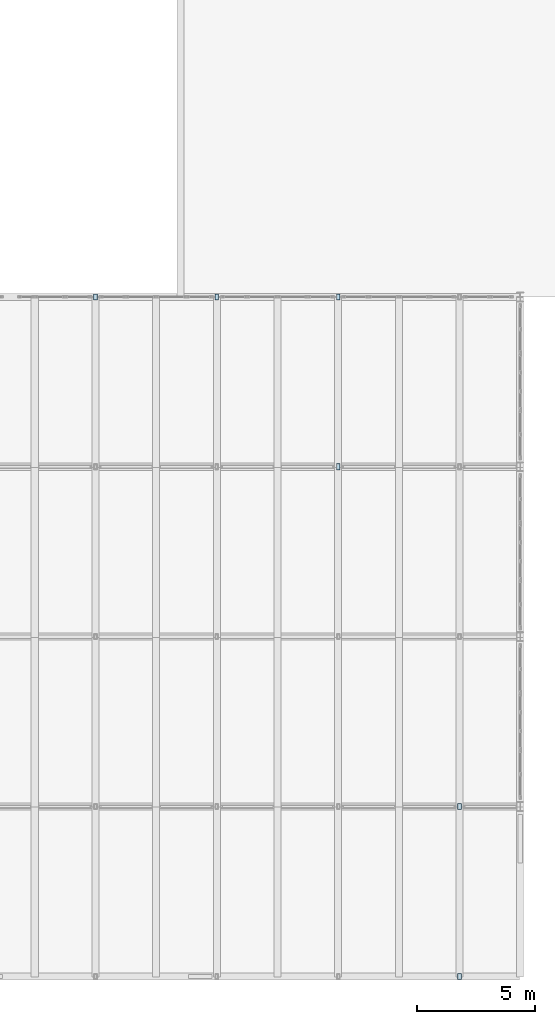
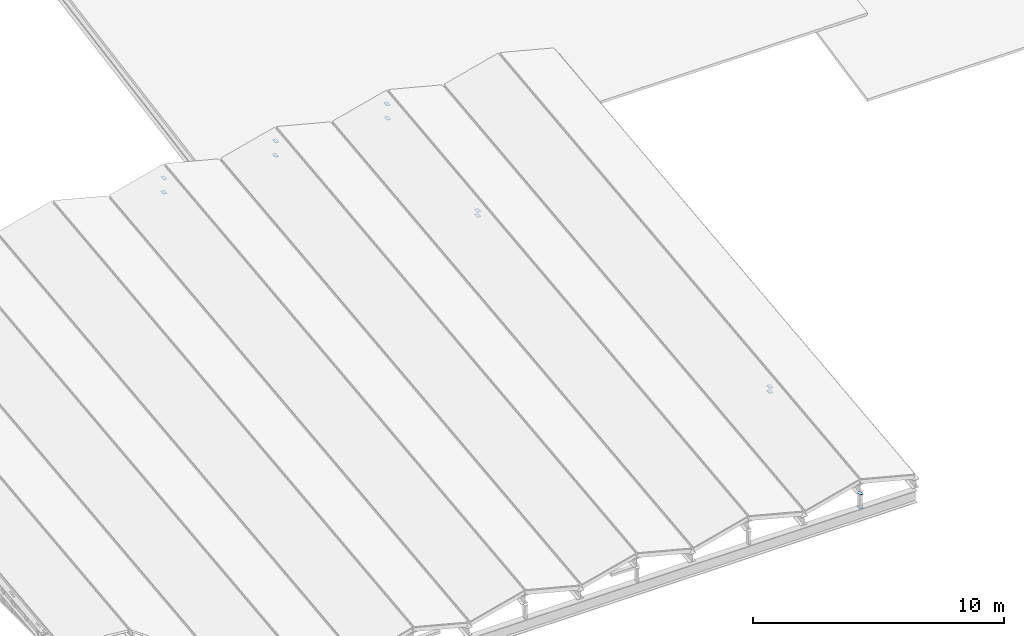
# One storey, part 35 of 39: 12 plates.
"""IFC4 building model written with IfcOpenShell, lengths in metres."""

from ifc_helpers import new_model, si_unit, direction, frame, origin, origin_2d, place, context, subcontext, project, spatial, rectangle, extrude, material, layer, layer_set, type_object, element, save


model = new_model("IFC4")

# Units and contexts
model_context = context("Model", 3, precision=1e-05, world=origin(), true_north=direction((0.0, 1.0)))
body_context = subcontext(model_context, "Body", "Model", "MODEL_VIEW")
ifc_project = project(units=[si_unit("LENGTHUNIT", "METRE"), si_unit("AREAUNIT", "SQUARE_METRE"), si_unit("VOLUMEUNIT", "CUBIC_METRE"), si_unit("PLANEANGLEUNIT", "RADIAN"), si_unit("MASSUNIT", "GRAM", prefix="KILO"), si_unit("THERMODYNAMICTEMPERATUREUNIT", "KELVIN"), si_unit("POWERUNIT", "WATT")], contexts=[model_context])

# Site, building, storey
site_placement = place(None, origin())
site = spatial("IfcSite", under=ifc_project, at=site_placement, CompositionType="ELEMENT")
building_placement = place(site_placement, origin())
building = spatial("IfcBuilding", under=site, at=building_placement, Name="Kaldorven Railside Theatre", CompositionType="ELEMENT")
storey_placement = place(building_placement, frame((0.0, 0.0, 27.300048828125)))
storey = spatial("IfcBuildingStorey", under=building, at=storey_placement, Name="ROOF", CompositionType="ELEMENT", Elevation=27.300048828125)

# Plates
ifc_material = material(Name="Steel S355", Category="steel")
ifc_layer = layer(ifc_material, 0.011962890625, Name="Steel S355")
ifc_layer_set = layer_set([ifc_layer], Name="Steel S355")
plate_type = type_object("IfcPlateType", Name="PLT-CAP-12", PredefinedType="USERDEFINED", material=ifc_layer_set)
for number, where, z_axis, x_axis, name in (
    (1, (120.62841796875, 84.0, -0.67529296875), (0.0, 0.0, 1.0), (1.0, 0.0, 0.0), "End cap gusset plate PL-0253"),
    (2, (120.62841796875, 84.0, 0.02001953125), (0.0, 0.0, 1.0), (1.0, 0.0, 0.0), "End cap gusset plate PL-0254"),
    (3, (105.199951171875, 112.800048828125, 2.6044921875), (0.0, 0.0, 1.0), (1.0, 0.0, 0.0), "End cap gusset plate PL-0261"),
    (4, (105.199951171875, 112.800048828125, 3.30029296875), (0.0, 0.0, 1.0), (1.0, 0.0, 0.0), "End cap gusset plate PL-0262"),
    (5, (110.3427734375, 112.800048828125, 2.6044921875), (0.0, 0.0, 1.0), (1.0, 0.0, 0.0), "End cap gusset plate PL-0263"),
    (6, (110.3427734375, 112.800048828125, 3.30029296875), (0.0, 0.0, 1.0), (1.0, 0.0, 0.0), "End cap gusset plate PL-0264"),
    (7, (115.485595703125, 112.800048828125, 2.6044921875), (0.0, 0.0, 1.0), (1.0, 0.0, 0.0), "End cap gusset plate PL-0265"),
    (8, (115.485595703125, 112.800048828125, 3.30029296875), (0.0, 0.0, 1.0), (1.0, 0.0, 0.0), "End cap gusset plate PL-0266"),
    (9, (115.485595703125, 105.60009765625, 2.234375), (0.0, 0.0, 1.0), (1.0, 0.0, 0.0), "End cap gusset plate PL-0309"),
    (10, (115.485595703125, 105.60009765625, 2.47802734375), (0.0, 0.0, 1.0), (1.0, 0.0, 0.0), "End cap gusset plate PL-0310"),
    (11, (120.62841796875, 91.199951171875, 0.59423828125), (0.0, 0.0, 1.0), (1.0, 0.0, 0.0), "End cap gusset plate PL-0311"),
    (12, (120.62841796875, 91.199951171875, 0.837890625), (0.0, 0.0, 1.0), (1.0, 0.0, 0.0), "End cap gusset plate PL-0312"),
):
    element("IfcPlate", number, at=place(storey_placement, frame(where, z_axis=z_axis, x_axis=x_axis)), inside=storey, type_object=plate_type, Name=name, ObjectType="CAP PLATE", PredefinedType="USERDEFINED", context=body_context, shape_type="SweptSolid", body=[
        extrude(rectangle(XDim=0.159912109375, YDim=0.260009765625, at=origin_2d()), origin(), (0.0, 0.0, 1.0), 0.011962890625),
    ])

save(model, "model.ifc")
